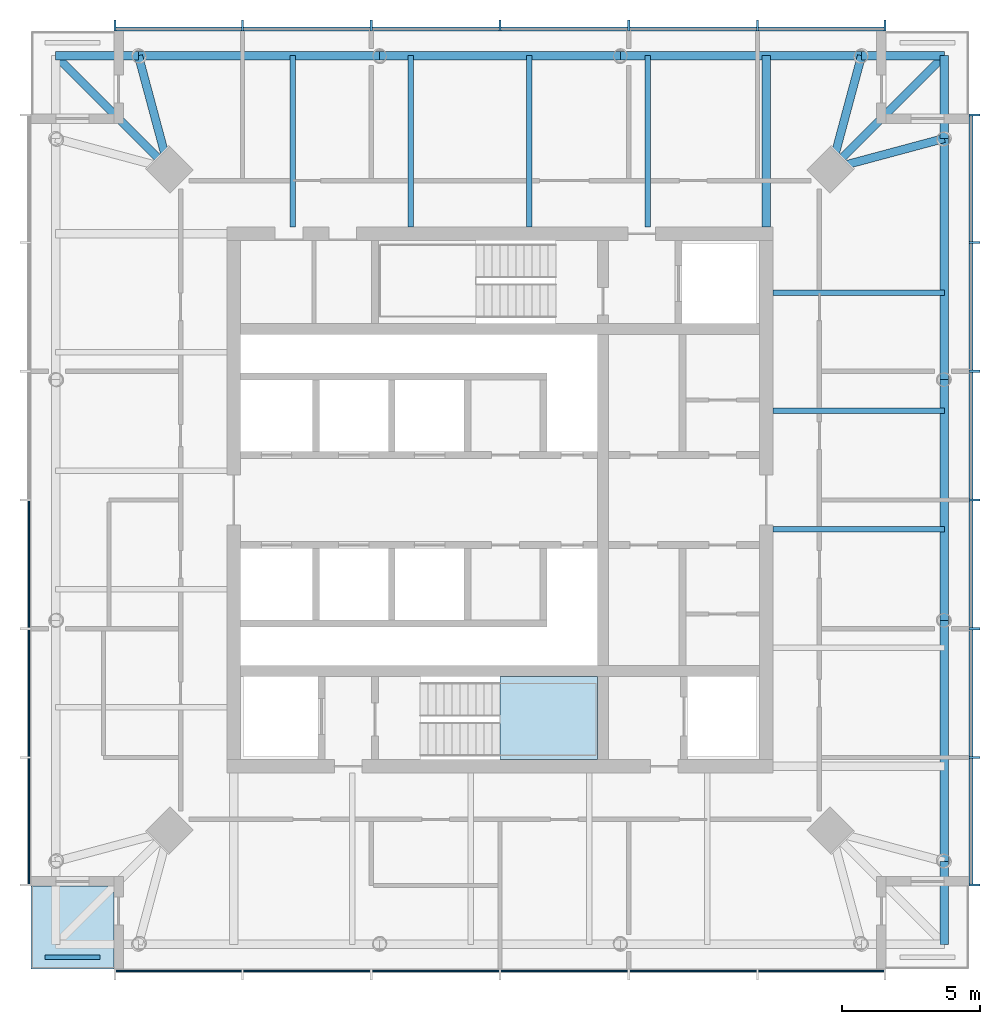
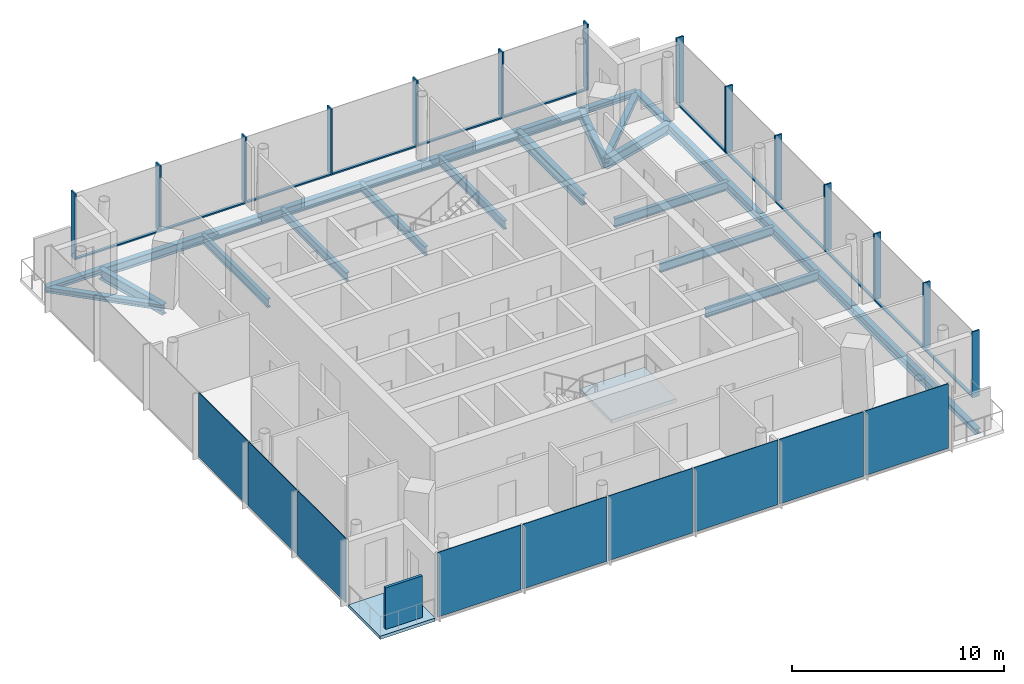
# One storey, part 2 of 7: 26 members, 23 beams, 10 plates, 2 slabs, 5 elements without a shape of their own.
"""IFC4 building model written with IfcOpenShell, lengths in metres."""

from ifc_helpers import new_model, si_unit, direction, frame, origin, origin_2d, place, context, subcontext, project, spatial, polyline, rectangle, i_section, outline, extrude, material, layer, layer_set, material_profile, profile_set, type_object, element, aggregate, save


model = new_model("IFC4")

# Units and contexts
model_context = context("Model", 3, precision=1e-05, world=origin(), true_north=direction((0.0, 1.0)))
body_context = subcontext(model_context, "Body", "Model", "MODEL_VIEW")
ifc_project = project(units=[si_unit("LENGTHUNIT", "METRE"), si_unit("AREAUNIT", "SQUARE_METRE"), si_unit("VOLUMEUNIT", "CUBIC_METRE"), si_unit("PLANEANGLEUNIT", "RADIAN"), si_unit("MASSUNIT", "GRAM", prefix="KILO")], contexts=[model_context])

# Site, building, storey
site_placement = place(None, origin())
site = spatial("IfcSite", under=ifc_project, at=site_placement, CompositionType="ELEMENT")
building_placement = place(site_placement, origin())
building = spatial("IfcBuilding", under=site, at=building_placement, Name="Ostroluk Exchange", CompositionType="ELEMENT")
storey_placement = place(building_placement, frame((0.0, 0.0, 268.0)))
storey = spatial("IfcBuildingStorey", under=building, at=storey_placement, Name="L69", CompositionType="ELEMENT", Elevation=268.0)

# Beams
ifc_material_1 = material(Name="Steel S355", Category="steel")
ifc_material_profile_1 = material_profile(ifc_material_1, i_section(OverallWidth=0.300048828125, OverallDepth=0.300048828125, WebThickness=0.010986328125, FlangeThickness=0.01904296875, FilletRadius=0.027099609375, at=origin_2d()), Name="HEB 300")
ifc_profile_set_1 = profile_set([ifc_material_profile_1], Name="Steel S355")
beam_type_1 = type_object("IfcBeamType", Name="Balcony beam HEB 300", PredefinedType="BEAM", material=ifc_profile_set_1)
for number, where, z_axis, x_axis, name in (
    (1, (61.107177734375, 59.107177734375, -0.330078125), (0.0, 1.0, 0.0), (-1.0, 0.0, 0.0), "T1 east balcony beam a"),
    (2, (58.107177734375, 62.107177734375, -0.330078125), (1.0, 0.0, 0.0), (0.0, 1.0, 0.0), "T1 east balcony beam b"),
):
    element("IfcBeam", number, at=place(storey_placement, frame(where, z_axis=z_axis, x_axis=x_axis)), inside=storey, type_object=beam_type_1, Name=name, PredefinedType="BEAM", context=body_context, shape_type="SweptSolid", body=[
        extrude(i_section(OverallWidth=0.300048828125, OverallDepth=0.300048828125, WebThickness=0.010986328125, FlangeThickness=0.01904296875, FilletRadius=0.027099609375, at=origin_2d()), origin(), (0.0, 0.0, 1.0), 3.0),
    ])
beam_1_placement = place(storey_placement, frame((57.007080078125, 58.007080078125, -0.330078125), z_axis=(0.707106781187, 0.707106781187, 0.0), x_axis=(-0.707106781187, 0.707106781187, 0.0)))
element("IfcBeam", 3, at=beam_1_placement, inside=storey, type_object=beam_type_1, Name="T1 east balcony beam c", PredefinedType="BEAM", context=body_context, shape_type="SweptSolid", body=[
    extrude(i_section(OverallWidth=0.300048828125, OverallDepth=0.300048828125, WebThickness=0.010986328125, FlangeThickness=0.01904296875, FilletRadius=0.027099609375, at=origin_2d()), origin(), (0.0, 0.0, 1.0), 5.79833984375),
])
beam_2_placement = place(storey_placement, frame((31.892822265625, 62.107177734375, -0.330078125), z_axis=(-1.0, 0.0, 0.0), x_axis=(0.0, -1.0, 0.0)))
element("IfcBeam", 4, at=beam_2_placement, inside=storey, type_object=beam_type_1, Name="T1 north balcony beam a", PredefinedType="BEAM", context=body_context, shape_type="SweptSolid", body=[
    extrude(i_section(OverallWidth=0.300048828125, OverallDepth=0.300048828125, WebThickness=0.010986328125, FlangeThickness=0.01904296875, FilletRadius=0.027099609375, at=origin_2d()), origin(), (0.0, 0.0, 1.0), 3.0),
])
beam_3_placement = place(storey_placement, frame((32.992919921875, 58.007080078125, -0.330078125), z_axis=(-0.707106781187, 0.707106781187, 0.0), x_axis=(-0.707106781187, -0.707106781187, 0.0)))
element("IfcBeam", 5, at=beam_3_placement, inside=storey, type_object=beam_type_1, Name="T1 north balcony beam c", PredefinedType="BEAM", context=body_context, shape_type="SweptSolid", body=[
    extrude(i_section(OverallWidth=0.300048828125, OverallDepth=0.300048828125, WebThickness=0.010986328125, FlangeThickness=0.01904296875, FilletRadius=0.027099609375, at=origin_2d()), origin(), (0.0, 0.0, 1.0), 5.79833984375),
])
beam_4_placement = place(storey_placement, frame((61.107177734375, 32.892822265625, -0.330078125), z_axis=(0.0, -1.0, 0.0), x_axis=(1.0, 0.0, 0.0)))
element("IfcBeam", 6, at=beam_4_placement, inside=storey, type_object=beam_type_1, Name="T1 south balcony beam b", PredefinedType="BEAM", context=body_context, shape_type="SweptSolid", body=[
    extrude(i_section(OverallWidth=0.300048828125, OverallDepth=0.300048828125, WebThickness=0.010986328125, FlangeThickness=0.01904296875, FilletRadius=0.027099609375, at=origin_2d()), origin(), (0.0, 0.0, 1.0), 3.0),
])
ifc_material_2 = material(Name="Steel S355", Category="steel")
ifc_material_profile_2 = material_profile(ifc_material_2, i_section(OverallWidth=0.300048828125, OverallDepth=0.60009765625, WebThickness=0.015380859375, FlangeThickness=0.030029296875, FilletRadius=0.027099609375, at=origin_2d()), Name="HEB 600")
ifc_profile_set_2 = profile_set([ifc_material_profile_2], Name="Steel S355")
beam_type_2 = type_object("IfcBeamType", Name="Corner edge beam HEB 600", PredefinedType="SPANDREL", material=ifc_profile_set_2)
for number, where, z_axis, x_axis, name in (
    (7, (57.007080078125, 58.007080078125, -0.47998046875), (0.965838624319, 0.259144268261, 0.0), (-0.259144268261, 0.965838624319, 0.0), "T1 east corner edge beam a"),
    (8, (57.007080078125, 58.007080078125, -0.47998046875), (0.259144268261, 0.965838624319, 0.0), (-0.965838624319, 0.259144268261, 0.0), "T1 east corner edge beam b"),
    (9, (32.992919921875, 58.007080078125, -0.47998046875), (-0.259144268261, 0.965838624319, 0.0), (-0.965838624319, -0.259144268261, 0.0), "T1 north corner edge beam a"),
):
    element("IfcBeam", number, at=place(storey_placement, frame(where, z_axis=z_axis, x_axis=x_axis)), inside=storey, type_object=beam_type_2, Name=name, PredefinedType="SPANDREL", context=body_context, shape_type="SweptSolid", body=[
        extrude(i_section(OverallWidth=0.300048828125, OverallDepth=0.60009765625, WebThickness=0.015380859375, FlangeThickness=0.030029296875, FilletRadius=0.027099609375, at=origin_2d()), origin(), (0.0, 0.0, 1.0), 4.2451171875),
    ])
ifc_material_3 = material(Name="Steel S355", Category="steel")
ifc_material_profile_3 = material_profile(ifc_material_3, i_section(OverallWidth=0.199951171875, OverallDepth=0.5, WebThickness=0.01025390625, FlangeThickness=0.01611328125, FilletRadius=0.02099609375, at=origin_2d()), Name="IPE 500")
ifc_profile_set_3 = profile_set([ifc_material_profile_3], Name="Steel S355")
beam_type_3 = type_object("IfcBeamType", Name="Floor beam IPE 500", PredefinedType="BEAM", material=ifc_profile_set_3)
for number, where, z_axis, x_axis, name in (
    (10, (54.89990234375, 44.935791015625, -0.429931640625), (1.0, 0.0, 0.0), (0.0, 1.0, 0.0), "T1 east floor beam 2"),
    (11, (54.89990234375, 49.228515625, -0.429931640625), (1.0, 0.0, 0.0), (0.0, 1.0, 0.0), "T1 east floor beam 3"),
    (12, (54.89990234375, 53.521484375, -0.429931640625), (1.0, 0.0, 0.0), (0.0, 1.0, 0.0), "T1 east floor beam 4"),
    (13, (50.357177734375, 55.89990234375, -0.429931640625), (0.0, 1.0, 0.0), (-1.0, 0.0, 0.0), "T1 north floor beam 1"),
    (14, (46.064208984375, 55.89990234375, -0.429931640625), (0.0, 1.0, 0.0), (-1.0, 0.0, 0.0), "T1 north floor beam 2"),
    (15, (41.771484375, 55.89990234375, -0.429931640625), (0.0, 1.0, 0.0), (-1.0, 0.0, 0.0), "T1 north floor beam 3"),
    (16, (37.478515625, 55.89990234375, -0.429931640625), (0.0, 1.0, 0.0), (-1.0, 0.0, 0.0), "T1 north floor beam 4"),
):
    element("IfcBeam", number, at=place(storey_placement, frame(where, z_axis=z_axis, x_axis=x_axis)), inside=storey, type_object=beam_type_3, Name=name, PredefinedType="BEAM", context=body_context, shape_type="SweptSolid", body=[
        extrude(i_section(OverallWidth=0.199951171875, OverallDepth=0.5, WebThickness=0.01025390625, FlangeThickness=0.01611328125, FilletRadius=0.02099609375, at=origin_2d()), origin(), (0.0, 0.0, 1.0), 6.207275390625),
    ])
ifc_material_4 = material(Name="Steel S355", Category="steel")
ifc_material_profile_4 = material_profile(ifc_material_4, i_section(OverallWidth=0.300048828125, OverallDepth=0.60009765625, WebThickness=0.015380859375, FlangeThickness=0.030029296875, FilletRadius=0.027099609375, at=origin_2d()), Name="HEB 600")
ifc_profile_set_4 = profile_set([ifc_material_profile_4], Name="Steel S355")
beam_type_4 = type_object("IfcBeamType", Name="Girder HEB 600", PredefinedType="BEAM", material=ifc_profile_set_4)
beam_5_placement = place(storey_placement, frame((54.64990234375, 55.89990234375, -0.47998046875), z_axis=(0.0, 1.0, 0.0), x_axis=(-1.0, 0.0, 0.0)))
element("IfcBeam", 17, at=beam_5_placement, inside=storey, type_object=beam_type_4, Name="T1 east girder", PredefinedType="BEAM", context=body_context, shape_type="SweptSolid", body=[
    extrude(i_section(OverallWidth=0.300048828125, OverallDepth=0.60009765625, WebThickness=0.015380859375, FlangeThickness=0.030029296875, FilletRadius=0.027099609375, at=origin_2d()), origin(), (0.0, 0.0, 1.0), 6.207275390625),
])
ifc_material_5 = material(Name="Steel S355", Category="steel")
ifc_material_profile_5 = material_profile(ifc_material_5, i_section(OverallWidth=0.300048828125, OverallDepth=0.5, WebThickness=0.014404296875, FlangeThickness=0.028076171875, FilletRadius=0.027099609375, at=origin_2d()), Name="HEB 500")
ifc_profile_set_5 = profile_set([ifc_material_profile_5], Name="Steel S355")
beam_type_5 = type_object("IfcBeamType", Name="Moment-connected edge beam HEB 500", PredefinedType="SPANDREL", material=ifc_profile_set_5)
beam_6_placement = place(storey_placement, frame((61.107177734375, 32.892822265625, -0.429931640625), z_axis=(0.0, 1.0, 0.0), x_axis=(-1.0, 0.0, 0.0)))
element("IfcBeam", 18, at=beam_6_placement, inside=storey, type_object=beam_type_5, Name="T1 east edge beam 1", PredefinedType="SPANDREL", context=body_context, shape_type="SweptSolid", body=[
    extrude(i_section(OverallWidth=0.300048828125, OverallDepth=0.5, WebThickness=0.014404296875, FlangeThickness=0.028076171875, FilletRadius=0.027099609375, at=origin_2d()), origin(), (0.0, 0.0, 1.0), 8.738037109375),
])
beam_7_placement = place(storey_placement, frame((61.107177734375, 41.630859375, -0.429931640625), z_axis=(0.0, 1.0, 0.0), x_axis=(-1.0, 0.0, 0.0)))
element("IfcBeam", 19, at=beam_7_placement, inside=storey, type_object=beam_type_5, Name="T1 east edge beam 2", PredefinedType="SPANDREL", context=body_context, shape_type="SweptSolid", body=[
    extrude(i_section(OverallWidth=0.300048828125, OverallDepth=0.5, WebThickness=0.014404296875, FlangeThickness=0.028076171875, FilletRadius=0.027099609375, at=origin_2d()), origin(), (0.0, 0.0, 1.0), 8.73828125),
])
for number, where, z_axis, x_axis, name in (
    (20, (61.107177734375, 50.369140625, -0.429931640625), (0.0, 1.0, 0.0), (-1.0, 0.0, 0.0), "T1 east edge beam 3"),
    (21, (58.107177734375, 62.107177734375, -0.429931640625), (-1.0, 0.0, 0.0), (0.0, -1.0, 0.0), "T1 north edge beam 1"),
):
    element("IfcBeam", number, at=place(storey_placement, frame(where, z_axis=z_axis, x_axis=x_axis)), inside=storey, type_object=beam_type_5, Name=name, PredefinedType="SPANDREL", context=body_context, shape_type="SweptSolid", body=[
        extrude(i_section(OverallWidth=0.300048828125, OverallDepth=0.5, WebThickness=0.014404296875, FlangeThickness=0.028076171875, FilletRadius=0.027099609375, at=origin_2d()), origin(), (0.0, 0.0, 1.0), 8.738037109375),
    ])
beam_8_placement = place(storey_placement, frame((49.369140625, 62.107177734375, -0.429931640625), z_axis=(-1.0, 0.0, 0.0), x_axis=(0.0, -1.0, 0.0)))
element("IfcBeam", 22, at=beam_8_placement, inside=storey, type_object=beam_type_5, Name="T1 north edge beam 2", PredefinedType="SPANDREL", context=body_context, shape_type="SweptSolid", body=[
    extrude(i_section(OverallWidth=0.300048828125, OverallDepth=0.5, WebThickness=0.014404296875, FlangeThickness=0.028076171875, FilletRadius=0.027099609375, at=origin_2d()), origin(), (0.0, 0.0, 1.0), 8.73828125),
])
beam_9_placement = place(storey_placement, frame((40.630859375, 62.107177734375, -0.429931640625), z_axis=(-1.0, 0.0, 0.0), x_axis=(0.0, -1.0, 0.0)))
element("IfcBeam", 23, at=beam_9_placement, inside=storey, type_object=beam_type_5, Name="T1 north edge beam 3", PredefinedType="SPANDREL", context=body_context, shape_type="SweptSolid", body=[
    extrude(i_section(OverallWidth=0.300048828125, OverallDepth=0.5, WebThickness=0.014404296875, FlangeThickness=0.028076171875, FilletRadius=0.027099609375, at=origin_2d()), origin(), (0.0, 0.0, 1.0), 8.738037109375),
])

# Curtain wall, members
ifc_material_6 = material(Name="Laminated clear glass", Category="glass")
curtain_wall_type = type_object("IfcCurtainWallType", Name="Office tower facade", PredefinedType="USERDEFINED", material=ifc_material_6)
curtain_wall_1_placement = place(storey_placement, origin())
curtain_wall_1 = element("IfcCurtainWall", 24, at=curtain_wall_1_placement, inside=storey, type_object=curtain_wall_type, Name="Office tower east facade L69", ObjectType="UNITISED CURTAIN WALL", PredefinedType="USERDEFINED")
ifc_material_7 = material(Name="Aluminium mullion", Category="aluminium")
ifc_material_profile_6 = material_profile(ifc_material_7, rectangle(XDim=0.14990234375, YDim=0.080078125, at=origin_2d()), Name="Sill transom 80 x 150")
ifc_profile_set_6 = profile_set([ifc_material_profile_6], Name="Aluminium mullion")
member_type_1 = type_object("IfcMemberType", Name="Sill transom 80 x 150", PredefinedType="USERDEFINED", material=ifc_profile_set_6)
member_1_placement = place(storey_placement, frame((62.074951171875, 32.080078125, 0.0400390625), z_axis=(0.0, 1.0, 0.0), x_axis=(-1.0, 0.0, 0.0)))
member_1 = element("IfcMember", 25, at=member_1_placement, type_object=member_type_1, Name="CW-O1 transom 1.1", ObjectType="TRANSOM", PredefinedType="USERDEFINED", context=body_context, shape_type="SweptSolid", body=[
    extrude(rectangle(XDim=0.14990234375, YDim=0.080078125, at=origin_2d()), origin(), (0.0, 0.0, 1.0), 4.546630859375),
])
member_2_placement = place(storey_placement, frame((62.074951171875, 36.706787109375, 0.0400390625), z_axis=(0.0, 1.0, 0.0), x_axis=(-1.0, 0.0, 0.0)))
member_2 = element("IfcMember", 26, at=member_2_placement, type_object=member_type_1, Name="CW-O1 transom 2.1", ObjectType="TRANSOM", PredefinedType="USERDEFINED", context=body_context, shape_type="SweptSolid", body=[
    extrude(rectangle(XDim=0.14990234375, YDim=0.080078125, at=origin_2d()), origin(), (0.0, 0.0, 1.0), 4.58642578125),
])
member_3_placement = place(storey_placement, frame((62.074951171875, 41.373291015625, 0.0400390625), z_axis=(0.0, 1.0, 0.0), x_axis=(-1.0, 0.0, 0.0)))
member_3 = element("IfcMember", 27, at=member_3_placement, type_object=member_type_1, Name="CW-O1 transom 3.1", ObjectType="TRANSOM", PredefinedType="USERDEFINED", context=body_context, shape_type="SweptSolid", body=[
    extrude(rectangle(XDim=0.14990234375, YDim=0.080078125, at=origin_2d()), origin(), (0.0, 0.0, 1.0), 4.586669921875),
])
member_4_placement = place(storey_placement, frame((62.074951171875, 46.0400390625, 0.0400390625), z_axis=(0.0, 1.0, 0.0), x_axis=(-1.0, 0.0, 0.0)))
member_4 = element("IfcMember", 28, at=member_4_placement, type_object=member_type_1, Name="CW-O1 transom 4.1", ObjectType="TRANSOM", PredefinedType="USERDEFINED", context=body_context, shape_type="SweptSolid", body=[
    extrude(rectangle(XDim=0.14990234375, YDim=0.080078125, at=origin_2d()), origin(), (0.0, 0.0, 1.0), 4.586669921875),
])
member_5_placement = place(storey_placement, frame((62.074951171875, 50.706787109375, 0.0400390625), z_axis=(0.0, 1.0, 0.0), x_axis=(-1.0, 0.0, 0.0)))
member_5 = element("IfcMember", 29, at=member_5_placement, type_object=member_type_1, Name="CW-O1 transom 5.1", ObjectType="TRANSOM", PredefinedType="USERDEFINED", context=body_context, shape_type="SweptSolid", body=[
    extrude(rectangle(XDim=0.14990234375, YDim=0.080078125, at=origin_2d()), origin(), (0.0, 0.0, 1.0), 4.58642578125),
])
member_6_placement = place(storey_placement, frame((62.074951171875, 55.373291015625, 0.0400390625), z_axis=(0.0, 1.0, 0.0), x_axis=(-1.0, 0.0, 0.0)))
member_6 = element("IfcMember", 30, at=member_6_placement, type_object=member_type_1, Name="CW-O1 transom 6.1", ObjectType="TRANSOM", PredefinedType="USERDEFINED", context=body_context, shape_type="SweptSolid", body=[
    extrude(rectangle(XDim=0.14990234375, YDim=0.080078125, at=origin_2d()), origin(), (0.0, 0.0, 1.0), 4.546630859375),
])

curtain_wall_2_placement = place(storey_placement, origin())
curtain_wall_2 = element("IfcCurtainWall", 31, at=curtain_wall_2_placement, inside=storey, type_object=curtain_wall_type, Name="Office tower north facade L69", ObjectType="UNITISED CURTAIN WALL", PredefinedType="USERDEFINED")
member_7_placement = place(storey_placement, frame((58.919921875, 63.074951171875, 0.0400390625), z_axis=(-1.0, 0.0, 0.0), x_axis=(0.0, -1.0, 0.0)))
member_7 = element("IfcMember", 32, at=member_7_placement, type_object=member_type_1, Name="CW-O1 transom 1.1", ObjectType="TRANSOM", PredefinedType="USERDEFINED", context=body_context, shape_type="SweptSolid", body=[
    extrude(rectangle(XDim=0.14990234375, YDim=0.080078125, at=origin_2d()), origin(), (0.0, 0.0, 1.0), 4.546630859375),
])
member_8_placement = place(storey_placement, frame((54.293212890625, 63.074951171875, 0.0400390625), z_axis=(-1.0, 0.0, 0.0), x_axis=(0.0, -1.0, 0.0)))
member_8 = element("IfcMember", 33, at=member_8_placement, type_object=member_type_1, Name="CW-O1 transom 2.1", ObjectType="TRANSOM", PredefinedType="USERDEFINED", context=body_context, shape_type="SweptSolid", body=[
    extrude(rectangle(XDim=0.14990234375, YDim=0.080078125, at=origin_2d()), origin(), (0.0, 0.0, 1.0), 4.58642578125),
])
member_9_placement = place(storey_placement, frame((49.626708984375, 63.074951171875, 0.0400390625), z_axis=(-1.0, 0.0, 0.0), x_axis=(0.0, -1.0, 0.0)))
member_9 = element("IfcMember", 34, at=member_9_placement, type_object=member_type_1, Name="CW-O1 transom 3.1", ObjectType="TRANSOM", PredefinedType="USERDEFINED", context=body_context, shape_type="SweptSolid", body=[
    extrude(rectangle(XDim=0.14990234375, YDim=0.080078125, at=origin_2d()), origin(), (0.0, 0.0, 1.0), 4.586669921875),
])
member_10_placement = place(storey_placement, frame((44.9599609375, 63.074951171875, 0.0400390625), z_axis=(-1.0, 0.0, 0.0), x_axis=(0.0, -1.0, 0.0)))
member_10 = element("IfcMember", 35, at=member_10_placement, type_object=member_type_1, Name="CW-O1 transom 4.1", ObjectType="TRANSOM", PredefinedType="USERDEFINED", context=body_context, shape_type="SweptSolid", body=[
    extrude(rectangle(XDim=0.14990234375, YDim=0.080078125, at=origin_2d()), origin(), (0.0, 0.0, 1.0), 4.586669921875),
])
member_11_placement = place(storey_placement, frame((40.293212890625, 63.074951171875, 0.0400390625), z_axis=(-1.0, 0.0, 0.0), x_axis=(0.0, -1.0, 0.0)))
member_11 = element("IfcMember", 36, at=member_11_placement, type_object=member_type_1, Name="CW-O1 transom 5.1", ObjectType="TRANSOM", PredefinedType="USERDEFINED", context=body_context, shape_type="SweptSolid", body=[
    extrude(rectangle(XDim=0.14990234375, YDim=0.080078125, at=origin_2d()), origin(), (0.0, 0.0, 1.0), 4.58642578125),
])
member_12_placement = place(storey_placement, frame((35.626708984375, 63.074951171875, 0.0400390625), z_axis=(-1.0, 0.0, 0.0), x_axis=(0.0, -1.0, 0.0)))
member_12 = element("IfcMember", 37, at=member_12_placement, type_object=member_type_1, Name="CW-O1 transom 6.1", ObjectType="TRANSOM", PredefinedType="USERDEFINED", context=body_context, shape_type="SweptSolid", body=[
    extrude(rectangle(XDim=0.14990234375, YDim=0.080078125, at=origin_2d()), origin(), (0.0, 0.0, 1.0), 4.546630859375),
])

# Member
ifc_material_8 = material(Name="Aluminium mullion with limestone facing", Category="masonry")
ifc_material_profile_7 = material_profile(ifc_material_8, rectangle(XDim=0.39990234375, YDim=0.080078125, at=origin_2d()), Name="Tracery mullion 80 x 400")
ifc_profile_set_7 = profile_set([ifc_material_profile_7], Name="Aluminium mullion with limestone facing")
member_type_2 = type_object("IfcMemberType", Name="Tracery mullion 80 x 400", PredefinedType="MULLION", material=ifc_profile_set_7)
member_13_placement = place(storey_placement, frame((62.199951171875, 32.0400390625, 0.0), z_axis=(0.0, 0.0, 1.0), x_axis=(-1.0, 0.0, 0.0)))
member_13 = element("IfcMember", 38, at=member_13_placement, type_object=member_type_2, Name="CW-O1 mullion 1", PredefinedType="MULLION", context=body_context, shape_type="SweptSolid", body=[
    extrude(rectangle(XDim=0.39990234375, YDim=0.080078125, at=origin_2d()), origin(), (0.0, 0.0, 1.0), 3.800048828125),
])

member_14_placement = place(storey_placement, frame((62.199951171875, 36.666748046875, 0.0), z_axis=(0.0, 0.0, 1.0), x_axis=(-1.0, 0.0, 0.0)))
member_14 = element("IfcMember", 39, at=member_14_placement, type_object=member_type_2, Name="CW-O1 mullion 2", PredefinedType="MULLION", context=body_context, shape_type="SweptSolid", body=[
    extrude(rectangle(XDim=0.39990234375, YDim=0.080078125, at=origin_2d()), origin(), (0.0, 0.0, 1.0), 3.800048828125),
])

member_15_placement = place(storey_placement, frame((62.199951171875, 41.333251953125, 0.0), z_axis=(0.0, 0.0, 1.0), x_axis=(-1.0, 0.0, 0.0)))
member_15 = element("IfcMember", 40, at=member_15_placement, type_object=member_type_2, Name="CW-O1 mullion 3", PredefinedType="MULLION", context=body_context, shape_type="SweptSolid", body=[
    extrude(rectangle(XDim=0.39990234375, YDim=0.080078125, at=origin_2d()), origin(), (0.0, 0.0, 1.0), 3.800048828125),
])

member_16_placement = place(storey_placement, frame((62.199951171875, 46.0, 0.0), z_axis=(0.0, 0.0, 1.0), x_axis=(-1.0, 0.0, 0.0)))
member_16 = element("IfcMember", 41, at=member_16_placement, type_object=member_type_2, Name="CW-O1 mullion 4", PredefinedType="MULLION", context=body_context, shape_type="SweptSolid", body=[
    extrude(rectangle(XDim=0.39990234375, YDim=0.080078125, at=origin_2d()), origin(), (0.0, 0.0, 1.0), 3.800048828125),
])

member_17_placement = place(storey_placement, frame((62.199951171875, 50.666748046875, 0.0), z_axis=(0.0, 0.0, 1.0), x_axis=(-1.0, 0.0, 0.0)))
member_17 = element("IfcMember", 42, at=member_17_placement, type_object=member_type_2, Name="CW-O1 mullion 5", PredefinedType="MULLION", context=body_context, shape_type="SweptSolid", body=[
    extrude(rectangle(XDim=0.39990234375, YDim=0.080078125, at=origin_2d()), origin(), (0.0, 0.0, 1.0), 3.800048828125),
])

member_18_placement = place(storey_placement, frame((62.199951171875, 55.333251953125, 0.0), z_axis=(0.0, 0.0, 1.0), x_axis=(-1.0, 0.0, 0.0)))
member_18 = element("IfcMember", 43, at=member_18_placement, type_object=member_type_2, Name="CW-O1 mullion 6", PredefinedType="MULLION", context=body_context, shape_type="SweptSolid", body=[
    extrude(rectangle(XDim=0.39990234375, YDim=0.080078125, at=origin_2d()), origin(), (0.0, 0.0, 1.0), 3.800048828125),
])

member_19_placement = place(storey_placement, frame((62.199951171875, 59.9599609375, 0.0), z_axis=(0.0, 0.0, 1.0), x_axis=(-1.0, 0.0, 0.0)))
member_19 = element("IfcMember", 44, at=member_19_placement, type_object=member_type_2, Name="CW-O1 mullion 7", PredefinedType="MULLION", context=body_context, shape_type="SweptSolid", body=[
    extrude(rectangle(XDim=0.39990234375, YDim=0.080078125, at=origin_2d()), origin(), (0.0, 0.0, 1.0), 3.800048828125),
])

aggregate(curtain_wall_1, [member_13, member_14, member_15, member_16, member_17, member_18, member_19, member_1, member_2, member_3, member_4, member_5, member_6])

member_20_placement = place(storey_placement, frame((58.9599609375, 63.199951171875, 0.0), z_axis=(0.0, 0.0, 1.0), x_axis=(0.0, -1.0, 0.0)))
member_20 = element("IfcMember", 45, at=member_20_placement, type_object=member_type_2, Name="CW-O1 mullion 1", PredefinedType="MULLION", context=body_context, shape_type="SweptSolid", body=[
    extrude(rectangle(XDim=0.39990234375, YDim=0.080078125, at=origin_2d()), origin(), (0.0, 0.0, 1.0), 3.800048828125),
])

member_21_placement = place(storey_placement, frame((54.333251953125, 63.199951171875, 0.0), z_axis=(0.0, 0.0, 1.0), x_axis=(0.0, -1.0, 0.0)))
member_21 = element("IfcMember", 46, at=member_21_placement, type_object=member_type_2, Name="CW-O1 mullion 2", PredefinedType="MULLION", context=body_context, shape_type="SweptSolid", body=[
    extrude(rectangle(XDim=0.39990234375, YDim=0.080078125, at=origin_2d()), origin(), (0.0, 0.0, 1.0), 3.800048828125),
])

member_22_placement = place(storey_placement, frame((49.666748046875, 63.199951171875, 0.0), z_axis=(0.0, 0.0, 1.0), x_axis=(0.0, -1.0, 0.0)))
member_22 = element("IfcMember", 47, at=member_22_placement, type_object=member_type_2, Name="CW-O1 mullion 3", PredefinedType="MULLION", context=body_context, shape_type="SweptSolid", body=[
    extrude(rectangle(XDim=0.39990234375, YDim=0.080078125, at=origin_2d()), origin(), (0.0, 0.0, 1.0), 3.800048828125),
])

member_23_placement = place(storey_placement, frame((45.0, 63.199951171875, 0.0), z_axis=(0.0, 0.0, 1.0), x_axis=(0.0, -1.0, 0.0)))
member_23 = element("IfcMember", 48, at=member_23_placement, type_object=member_type_2, Name="CW-O1 mullion 4", PredefinedType="MULLION", context=body_context, shape_type="SweptSolid", body=[
    extrude(rectangle(XDim=0.39990234375, YDim=0.080078125, at=origin_2d()), origin(), (0.0, 0.0, 1.0), 3.800048828125),
])

member_24_placement = place(storey_placement, frame((40.333251953125, 63.199951171875, 0.0), z_axis=(0.0, 0.0, 1.0), x_axis=(0.0, -1.0, 0.0)))
member_24 = element("IfcMember", 49, at=member_24_placement, type_object=member_type_2, Name="CW-O1 mullion 5", PredefinedType="MULLION", context=body_context, shape_type="SweptSolid", body=[
    extrude(rectangle(XDim=0.39990234375, YDim=0.080078125, at=origin_2d()), origin(), (0.0, 0.0, 1.0), 3.800048828125),
])

member_25_placement = place(storey_placement, frame((35.666748046875, 63.199951171875, 0.0), z_axis=(0.0, 0.0, 1.0), x_axis=(0.0, -1.0, 0.0)))
member_25 = element("IfcMember", 50, at=member_25_placement, type_object=member_type_2, Name="CW-O1 mullion 6", PredefinedType="MULLION", context=body_context, shape_type="SweptSolid", body=[
    extrude(rectangle(XDim=0.39990234375, YDim=0.080078125, at=origin_2d()), origin(), (0.0, 0.0, 1.0), 3.800048828125),
])

member_26_placement = place(storey_placement, frame((31.0400390625, 63.199951171875, 0.0), z_axis=(0.0, 0.0, 1.0), x_axis=(0.0, -1.0, 0.0)))
member_26 = element("IfcMember", 51, at=member_26_placement, type_object=member_type_2, Name="CW-O1 mullion 7", PredefinedType="MULLION", context=body_context, shape_type="SweptSolid", body=[
    extrude(rectangle(XDim=0.39990234375, YDim=0.080078125, at=origin_2d()), origin(), (0.0, 0.0, 1.0), 3.800048828125),
])

aggregate(curtain_wall_2, [member_20, member_21, member_22, member_23, member_24, member_25, member_26, member_7, member_8, member_9, member_10, member_11, member_12])

# Slab
ifc_material_9 = material(Name="Concrete C35/45", Category="concrete")
ifc_layer_1 = layer(ifc_material_9, 0.179931640625)
ifc_layer_set_1 = layer_set([ifc_layer_1], Name="Balcony slab 180")
slab_type_1 = type_object("IfcSlabType", Name="Balcony slab 180", PredefinedType="USERDEFINED", material=ifc_layer_set_1)
slab_1_placement = place(storey_placement, frame((0.0, 0.0, -0.179931640625)))
element("IfcSlab", 52, at=slab_1_placement, inside=storey, type_object=slab_type_1, Name="Office tower SW corner balcony L69", ObjectType="BALCONY", PredefinedType="USERDEFINED", context=body_context, shape_type="SweptSolid", body=[
    extrude(outline(polyline([(28.0, 29.0), (31.0, 29.0), (31.0, 32.0), (28.0, 32.0), (28.0, 29.0)])), origin(), (0.0, 0.0, 1.0), 0.179931640625),
])

# Plate
ifc_material_10 = material(Name="Steel S355 trellis with planting", Category="steel")
ifc_layer_2 = layer(ifc_material_10, 0.14990234375)
ifc_layer_set_2 = layer_set([ifc_layer_2], Name="Planted screen 150")
plate_type_1 = type_object("IfcPlateType", Name="Planted screen 150", PredefinedType="USERDEFINED", material=ifc_layer_set_2)
plate_1_placement = place(storey_placement, frame((29.5, 29.425048828125, 0.0), z_axis=(0.0, 0.0, 1.0), x_axis=(1.0, 0.0, 0.0)))
element("IfcPlate", 53, at=plate_1_placement, inside=storey, type_object=plate_type_1, Name="Office tower SW planted screen L69", ObjectType="PLANTED SCREEN", PredefinedType="USERDEFINED", context=body_context, shape_type="SweptSolid", body=[
    extrude(rectangle(XDim=2.0, YDim=0.14990234375, at=origin_2d()), origin(), (0.0, 0.0, 1.0), 2.39990234375),
])

# Stair, slab
ifc_material_11 = material(Name="Concrete C30/37", Category="concrete")
stair_type = type_object("IfcStairType", Name="Exit stair half turn 3800", PredefinedType="HALF_TURN_STAIR", material=ifc_material_11)
stair_placement = place(storey_placement, origin())
stair = element("IfcStair", 54, at=stair_placement, inside=storey, type_object=stair_type, Name="Stair T1-S1 L69", PredefinedType="HALF_TURN_STAIR")
ifc_material_12 = material(Name="Concrete C30/37", Category="concrete")
ifc_layer_3 = layer(ifc_material_12, 0.199951171875)
ifc_layer_set_3 = layer_set([ifc_layer_3], Name="Stair landing 200")
slab_type_2 = type_object("IfcSlabType", Name="Stair landing 200", PredefinedType="LANDING", material=ifc_layer_set_3)
slab_2_placement = place(storey_placement, frame((0.0, 0.0, 1.699951171875)))
slab_2 = element("IfcSlab", 55, at=slab_2_placement, type_object=slab_type_2, Name="T1-S1 landing 1", PredefinedType="LANDING", context=body_context, shape_type="SweptSolid", body=[
    extrude(outline(polyline([(45.0, 36.60009765625), (45.0, 39.60009765625), (48.530029296875, 39.60009765625), (48.530029296875, 36.60009765625), (45.0, 36.60009765625)])), origin(), (0.0, 0.0, 1.0), 0.199951171875),
])
aggregate(stair, [slab_2])

# Curtain wall, plates
curtain_wall_3_placement = place(storey_placement, origin())
curtain_wall_3 = element("IfcCurtainWall", 56, at=curtain_wall_3_placement, inside=storey, type_object=curtain_wall_type, Name="Office tower south facade L69", ObjectType="UNITISED CURTAIN WALL", PredefinedType="USERDEFINED")
ifc_material_13 = material(Name="Laminated clear glass", Category="glass")
ifc_layer_4 = layer(ifc_material_13, 0.0439453125)
ifc_layer_set_4 = layer_set([ifc_layer_4], Name="Triple laminated clear glazing 44")
plate_type_2 = type_object("IfcPlateType", Name="Triple laminated clear glazing 44", PredefinedType="CURTAIN_PANEL", material=ifc_layer_set_4)
plate_2_placement = place(storey_placement, frame((33.353271484375, 28.925048828125, 0.080078125), z_axis=(0.0, 0.0, 1.0), x_axis=(1.0, 0.0, 0.0)))
plate_2 = element("IfcPlate", 57, at=plate_2_placement, type_object=plate_type_2, Name="CW-O1 panel 1.1", PredefinedType="CURTAIN_PANEL", context=body_context, shape_type="SweptSolid", body=[
    extrude(rectangle(XDim=4.546630859375, YDim=0.0439453125, at=origin_2d()), origin(), (0.0, 0.0, 1.0), 3.719970703125),
])
plate_3_placement = place(storey_placement, frame((38.0, 28.925048828125, 0.080078125), z_axis=(0.0, 0.0, 1.0), x_axis=(1.0, 0.0, 0.0)))
plate_3 = element("IfcPlate", 58, at=plate_3_placement, type_object=plate_type_2, Name="CW-O1 panel 2.1", PredefinedType="CURTAIN_PANEL", context=body_context, shape_type="SweptSolid", body=[
    extrude(rectangle(XDim=4.586669921875, YDim=0.0439453125, at=origin_2d()), origin(), (0.0, 0.0, 1.0), 3.719970703125),
])
plate_4_placement = place(storey_placement, frame((42.666748046875, 28.925048828125, 0.080078125), z_axis=(0.0, 0.0, 1.0), x_axis=(1.0, 0.0, 0.0)))
plate_4 = element("IfcPlate", 59, at=plate_4_placement, type_object=plate_type_2, Name="CW-O1 panel 3.1", PredefinedType="CURTAIN_PANEL", context=body_context, shape_type="SweptSolid", body=[
    extrude(rectangle(XDim=4.586669921875, YDim=0.0439453125, at=origin_2d()), origin(), (0.0, 0.0, 1.0), 3.719970703125),
])
plate_5_placement = place(storey_placement, frame((47.333251953125, 28.925048828125, 0.080078125), z_axis=(0.0, 0.0, 1.0), x_axis=(1.0, 0.0, 0.0)))
plate_5 = element("IfcPlate", 60, at=plate_5_placement, type_object=plate_type_2, Name="CW-O1 panel 4.1", PredefinedType="CURTAIN_PANEL", context=body_context, shape_type="SweptSolid", body=[
    extrude(rectangle(XDim=4.586669921875, YDim=0.0439453125, at=origin_2d()), origin(), (0.0, 0.0, 1.0), 3.719970703125),
])
plate_6_placement = place(storey_placement, frame((52.0, 28.925048828125, 0.080078125), z_axis=(0.0, 0.0, 1.0), x_axis=(1.0, 0.0, 0.0)))
plate_6 = element("IfcPlate", 61, at=plate_6_placement, type_object=plate_type_2, Name="CW-O1 panel 5.1", PredefinedType="CURTAIN_PANEL", context=body_context, shape_type="SweptSolid", body=[
    extrude(rectangle(XDim=4.586669921875, YDim=0.0439453125, at=origin_2d()), origin(), (0.0, 0.0, 1.0), 3.719970703125),
])
plate_7_placement = place(storey_placement, frame((56.646728515625, 28.925048828125, 0.080078125), z_axis=(0.0, 0.0, 1.0), x_axis=(1.0, 0.0, 0.0)))
plate_7 = element("IfcPlate", 62, at=plate_7_placement, type_object=plate_type_2, Name="CW-O1 panel 6.1", PredefinedType="CURTAIN_PANEL", context=body_context, shape_type="SweptSolid", body=[
    extrude(rectangle(XDim=4.546630859375, YDim=0.0439453125, at=origin_2d()), origin(), (0.0, 0.0, 1.0), 3.719970703125),
])
aggregate(curtain_wall_3, [plate_2, plate_3, plate_4, plate_5, plate_6, plate_7])

curtain_wall_4_placement = place(storey_placement, origin())
curtain_wall_4 = element("IfcCurtainWall", 63, at=curtain_wall_4_placement, inside=storey, type_object=curtain_wall_type, Name="Office tower west facade L69", ObjectType="UNITISED CURTAIN WALL", PredefinedType="USERDEFINED")
plate_8_placement = place(storey_placement, frame((27.925048828125, 43.666748046875, 0.080078125), z_axis=(0.0, 0.0, 1.0), x_axis=(0.0, -1.0, 0.0)))
plate_8 = element("IfcPlate", 64, at=plate_8_placement, type_object=plate_type_2, Name="CW-O1 panel 4.1", PredefinedType="CURTAIN_PANEL", context=body_context, shape_type="SweptSolid", body=[
    extrude(rectangle(XDim=4.586669921875, YDim=0.0439453125, at=origin_2d()), origin(), (0.0, 0.0, 1.0), 3.719970703125),
])
plate_9_placement = place(storey_placement, frame((27.925048828125, 39.0, 0.080078125), z_axis=(0.0, 0.0, 1.0), x_axis=(0.0, -1.0, 0.0)))
plate_9 = element("IfcPlate", 65, at=plate_9_placement, type_object=plate_type_2, Name="CW-O1 panel 5.1", PredefinedType="CURTAIN_PANEL", context=body_context, shape_type="SweptSolid", body=[
    extrude(rectangle(XDim=4.586669921875, YDim=0.0439453125, at=origin_2d()), origin(), (0.0, 0.0, 1.0), 3.719970703125),
])
plate_10_placement = place(storey_placement, frame((27.925048828125, 34.353271484375, 0.080078125), z_axis=(0.0, 0.0, 1.0), x_axis=(0.0, -1.0, 0.0)))
plate_10 = element("IfcPlate", 66, at=plate_10_placement, type_object=plate_type_2, Name="CW-O1 panel 6.1", PredefinedType="CURTAIN_PANEL", context=body_context, shape_type="SweptSolid", body=[
    extrude(rectangle(XDim=4.546630859375, YDim=0.0439453125, at=origin_2d()), origin(), (0.0, 0.0, 1.0), 3.719970703125),
])
aggregate(curtain_wall_4, [plate_8, plate_9, plate_10])

save(model, "model.ifc")
